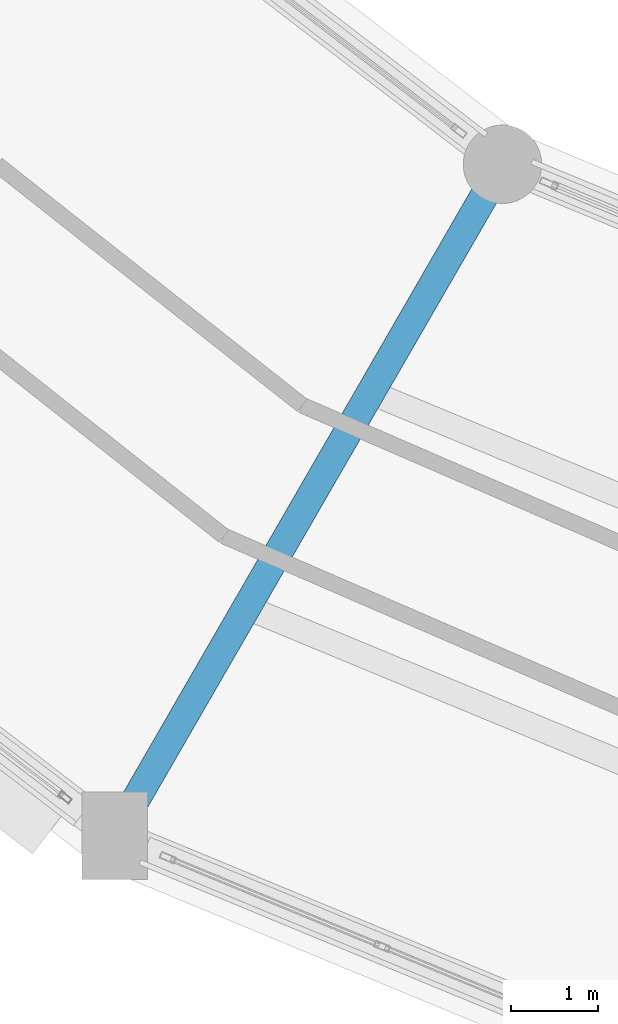
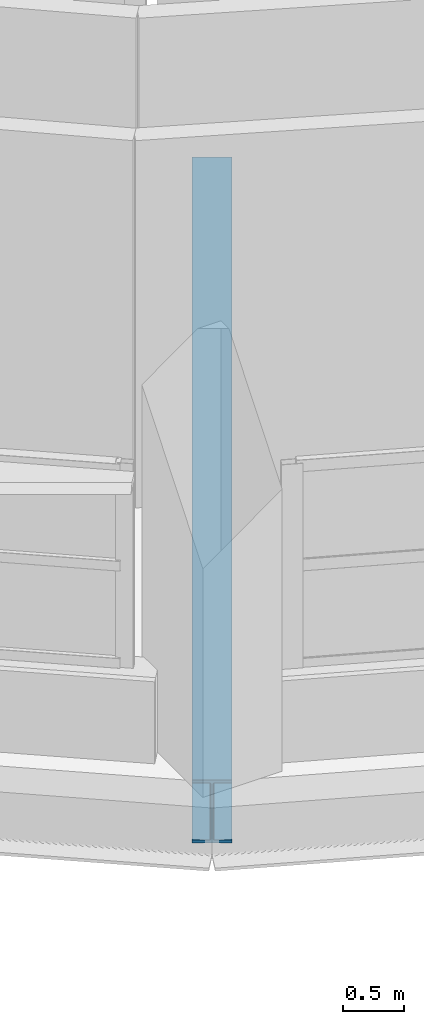
# One storey, part 6 of 53: 1 beam.
"""IFC4 building model written with IfcOpenShell, lengths in metres."""

from ifc_helpers import new_model, si_unit, direction, frame, origin, origin_2d, place, context, subcontext, project, spatial, i_section, extrude, material, material_profile, profile_set, type_object, element, save


model = new_model("IFC4")

# Units and contexts
model_context = context("Model", 3, precision=1e-05, world=origin(), true_north=direction((0.0, 1.0)))
body_context = subcontext(model_context, "Body", "Model", "MODEL_VIEW")
ifc_project = project(units=[si_unit("LENGTHUNIT", "METRE"), si_unit("AREAUNIT", "SQUARE_METRE"), si_unit("VOLUMEUNIT", "CUBIC_METRE"), si_unit("PLANEANGLEUNIT", "RADIAN"), si_unit("MASSUNIT", "GRAM", prefix="KILO")], contexts=[model_context])

# Site, building, storey
site_placement = place(None, origin())
site = spatial("IfcSite", under=ifc_project, at=site_placement, CompositionType="ELEMENT")
building_placement = place(site_placement, origin())
building = spatial("IfcBuilding", under=site, at=building_placement, Name="Vespera Passage Community Centre", CompositionType="ELEMENT")
storey_placement = place(building_placement, frame((0.0, 0.0, 20.39990234375)))
storey = spatial("IfcBuildingStorey", under=building, at=storey_placement, Name="L05", CompositionType="ELEMENT", Elevation=20.39990234375)

# Beam
ifc_material = material(Name="Steel ASTM A992 Grade 50", Category="steel")
ifc_material_profile = material_profile(ifc_material, i_section(OverallWidth=0.32763671875, OverallDepth=0.62841796875, WebThickness=0.0166015625, FlangeThickness=0.027587890625, FilletRadius=0.0126953125, at=origin_2d()), Name="W24X146")
ifc_profile_set = profile_set([ifc_material_profile], Name="Steel ASTM A992 Grade 50")
beam_type = type_object("IfcBeamType", Name="BM-G-W24X146", PredefinedType="BEAM", material=ifc_profile_set)
beam_placement = place(storey_placement, frame((59.39990234375, 33.283935546875, -0.57421875), z_axis=(-0.499989191739, -0.866031643847, 0.0), x_axis=(0.866031643847, -0.499989191739, 0.0)))
element("IfcBeam", 1, at=beam_placement, inside=storey, type_object=beam_type, Name="V4 L05 Radial Girder 16", PredefinedType="BEAM", context=body_context, shape_type="SweptSolid", body=[
    extrude(i_section(OverallWidth=0.32763671875, OverallDepth=0.62841796875, WebThickness=0.0166015625, FlangeThickness=0.027587890625, FilletRadius=0.0126953125, at=origin_2d()), origin(), (0.0, 0.0, 1.0), 8.900146484375),
])

save(model, "model.ifc")
